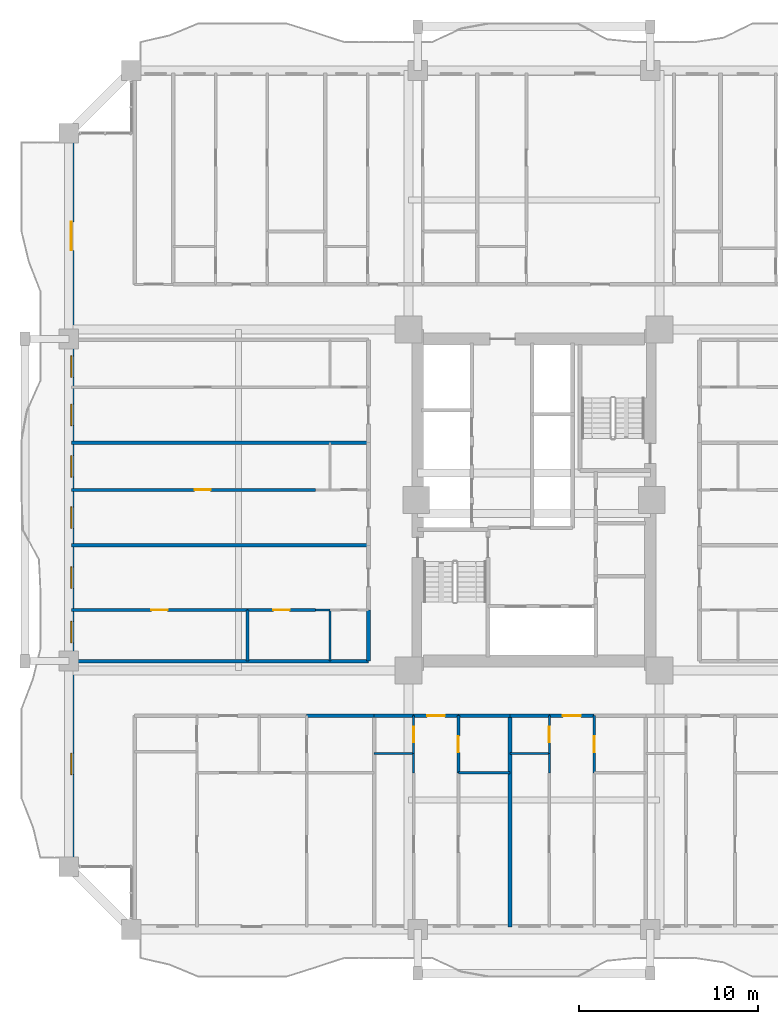
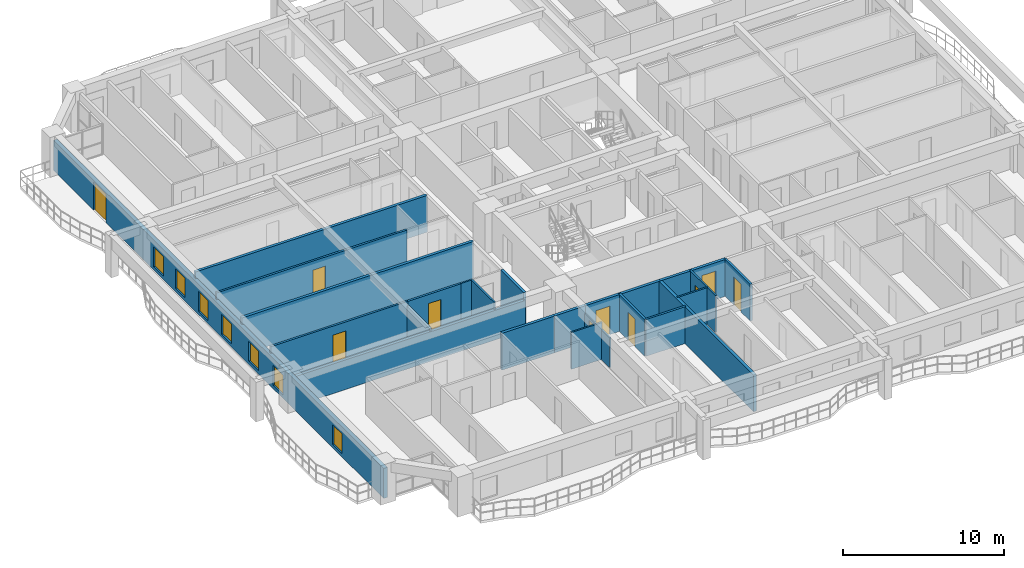
# One storey, part 15 of 28: 27 walls, 10 doors, 7 windows, 17 openings.
"""IFC4 building model written with IfcOpenShell, lengths in metres."""

from ifc_helpers import new_model, si_unit, direction, frame, frame_2d, origin, place, context, subcontext, project, spatial, rectangle, extrude, source, transform, mapped, material, layer, layer_set, type_object, element, fill, save


model = new_model("IFC4")

# Units and contexts
model_context = context("Model", 3, precision=1e-05, world=origin(), true_north=direction((0.0, 1.0)))
body_context = subcontext(model_context, "Body", "Model", "MODEL_VIEW")
ifc_project = project(units=[si_unit("LENGTHUNIT", "METRE"), si_unit("AREAUNIT", "SQUARE_METRE"), si_unit("VOLUMEUNIT", "CUBIC_METRE"), si_unit("PLANEANGLEUNIT", "RADIAN"), si_unit("MASSUNIT", "GRAM", prefix="KILO")], contexts=[model_context])

# Site, building, storey
site_placement = place(None, origin())
site = spatial("IfcSite", under=ifc_project, at=site_placement, CompositionType="ELEMENT")
building_placement = place(site_placement, origin())
building = spatial("IfcBuilding", under=site, at=building_placement, Name="Saelheon Loggia Tower", CompositionType="ELEMENT")
storey_placement = place(building_placement, frame((0.0, 0.0, 61.39990234375)))
storey = spatial("IfcBuildingStorey", under=building, at=storey_placement, Name="L19", CompositionType="ELEMENT", Elevation=61.39990234375)

# Wall, openings, windows, door
ifc_material_1 = material(Name="Architectural Precast Concrete C40/50", Category="concrete")
ifc_layer_1 = layer(ifc_material_1, 0.280029296875)
ifc_layer_set_1 = layer_set([ifc_layer_1], Name="Architectural Precast Concrete C40/50")
wall_type_1 = type_object("IfcWallType", Name="Wall_Ext_Loggia_280", PredefinedType="SOLIDWALL", material=ifc_layer_set_1)
wall_1_placement = place(storey_placement, frame((12.139892578125, 6.5, 0.0), z_axis=(0.0, 0.0, 1.0), x_axis=(0.0, 1.0, 0.0)))
wall_1 = element("IfcWall", 1, at=wall_1_placement, inside=storey, type_object=wall_type_1, Name="L19 West Loggia Inner Wall", PredefinedType="SOLIDWALL", context=body_context, shape_type="SweptSolid", body=[
    extrude(rectangle(XDim=41.0, YDim=0.280029296875, at=frame_2d((20.5, 0.0))), origin(), (0.0, 0.0, 1.0), 2.280029296875),
])
opening_1_placement = place(wall_1_placement, frame((5.14990234375, 0.0, 0.25)))
opening_1 = element("IfcOpeningElement", 2, at=opening_1_placement, cuts=wall_1, Name="Opening WN-03", PredefinedType="OPENING", context=body_context, shape_type="SweptSolid", body=[
    extrude(rectangle(XDim=1.199951171875, YDim=1.5, at=frame_2d((0.60009765625, 0.75))), frame((0.0, 0.152099609375, 0.0), z_axis=(0.0, -1.0, 0.0), x_axis=(1.0, 0.0, 0.0)), (0.0, 0.0, 1.0), 0.303955078125),
])
opening_2_placement = place(wall_1_placement, frame((12.52001953125, 0.0, 0.25)))
opening_2 = element("IfcOpeningElement", 3, at=opening_2_placement, cuts=wall_1, Name="Opening WN-03", PredefinedType="OPENING", context=body_context, shape_type="SweptSolid", body=[
    extrude(rectangle(XDim=1.199951171875, YDim=1.5, at=frame_2d((0.60009765625, 0.75))), frame((0.0, 0.152099609375, 0.0), z_axis=(0.0, -1.0, 0.0), x_axis=(1.0, 0.0, 0.0)), (0.0, 0.0, 1.0), 0.303955078125),
])
opening_3_placement = place(wall_1_placement, frame((15.555908203125, 0.0, 0.25)))
opening_3 = element("IfcOpeningElement", 4, at=opening_3_placement, cuts=wall_1, Name="Opening WN-03", PredefinedType="OPENING", context=body_context, shape_type="SweptSolid", body=[
    extrude(rectangle(XDim=1.199951171875, YDim=1.5, at=frame_2d((0.60009765625, 0.75))), frame((0.0, 0.152099609375, 0.0), z_axis=(0.0, -1.0, 0.0), x_axis=(1.0, 0.0, 0.0)), (0.0, 0.0, 1.0), 0.303955078125),
])
opening_4_placement = place(wall_1_placement, frame((18.912841796875, 0.0, 0.25)))
opening_4 = element("IfcOpeningElement", 5, at=opening_4_placement, cuts=wall_1, Name="Opening WN-03", PredefinedType="OPENING", context=body_context, shape_type="SweptSolid", body=[
    extrude(rectangle(XDim=1.199951171875, YDim=1.5, at=frame_2d((0.60009765625, 0.75))), frame((0.0, 0.152099609375, 0.0), z_axis=(0.0, -1.0, 0.0), x_axis=(1.0, 0.0, 0.0)), (0.0, 0.0, 1.0), 0.303955078125),
])
opening_5_placement = place(wall_1_placement, frame((21.784912109375, 0.0, 0.25)))
opening_5 = element("IfcOpeningElement", 6, at=opening_5_placement, cuts=wall_1, Name="Opening WN-03", PredefinedType="OPENING", context=body_context, shape_type="SweptSolid", body=[
    extrude(rectangle(XDim=1.199951171875, YDim=1.5, at=frame_2d((0.60009765625, 0.75))), frame((0.0, 0.152099609375, 0.0), z_axis=(0.0, -1.0, 0.0), x_axis=(1.0, 0.0, 0.0)), (0.0, 0.0, 1.0), 0.303955078125),
])
opening_6_placement = place(wall_1_placement, frame((24.656982421875, 0.0, 0.25)))
opening_6 = element("IfcOpeningElement", 7, at=opening_6_placement, cuts=wall_1, Name="Opening WN-03", PredefinedType="OPENING", context=body_context, shape_type="SweptSolid", body=[
    extrude(rectangle(XDim=1.199951171875, YDim=1.5, at=frame_2d((0.60009765625, 0.75))), frame((0.0, 0.152099609375, 0.0), z_axis=(0.0, -1.0, 0.0), x_axis=(1.0, 0.0, 0.0)), (0.0, 0.0, 1.0), 0.303955078125),
])
opening_7_placement = place(wall_1_placement, frame((27.35888671875, 0.0, 0.25)))
opening_7 = element("IfcOpeningElement", 8, at=opening_7_placement, cuts=wall_1, Name="Opening WN-03", PredefinedType="OPENING", context=body_context, shape_type="SweptSolid", body=[
    extrude(rectangle(XDim=1.199951171875, YDim=1.5, at=frame_2d((0.60009765625, 0.75))), frame((0.0, 0.152099609375, 0.0), z_axis=(0.0, -1.0, 0.0), x_axis=(1.0, 0.0, 0.0)), (0.0, 0.0, 1.0), 0.303955078125),
])
opening_8_placement = place(wall_1_placement, frame((34.449951171875, 0.0, 0.0)))
opening_8 = element("IfcOpeningElement", 9, at=opening_8_placement, cuts=wall_1, Name="Opening DLG-1", PredefinedType="OPENING", context=body_context, shape_type="SweptSolid", body=[
    extrude(rectangle(XDim=1.60009765625, YDim=2.14990234375, at=frame_2d((0.800048828125, 1.074951171875))), frame((0.0, 0.152099609375, 0.0), z_axis=(0.0, -1.0, 0.0), x_axis=(1.0, 0.0, 0.0)), (0.0, 0.0, 1.0), 0.303955078125),
])
ifc_material_2 = material(Name="Thermal-Break Aluminium and Triple Low-E Glass", Category="aluminium")
window_type = type_object("IfcWindowType", Name="Win_Bedroom_1200x1500", PartitioningType="SINGLE_PANEL", PredefinedType="WINDOW", material=ifc_material_2)
shared_shape_1 = source(origin(), body_context, "Body", "SweptSolid", [
    extrude(rectangle(XDim=1.199951171875, YDim=1.5, at=frame_2d((0.60009765625, 0.75))), frame((0.0, 0.030029296875, 0.0), z_axis=(0.0, -1.0, 0.0), x_axis=(1.0, 0.0, 0.0)), (0.0, 0.0, 1.0), 0.06005859375),
])
window_1_placement = place(opening_1_placement, origin())
window_1 = element("IfcWindow", 10, at=window_1_placement, inside=storey, type_object=window_type, Name="L19 W Dwelling Window 1", OverallHeight=1.5, OverallWidth=1.199951171875, PartitioningType="SINGLE_PANEL", PredefinedType="WINDOW", context=body_context, shape_type="MappedRepresentation", body=[
    mapped(shared_shape_1, transform((0.0, 0.0, 0.0), scale=1.0)),
])
fill(opening_1, window_1)
window_2_placement = place(opening_2_placement, origin())
window_2 = element("IfcWindow", 11, at=window_2_placement, inside=storey, type_object=window_type, Name="L19 W Dwelling Window 2", OverallHeight=1.5, OverallWidth=1.199951171875, PartitioningType="SINGLE_PANEL", PredefinedType="WINDOW", context=body_context, shape_type="MappedRepresentation", body=[
    mapped(shared_shape_1, transform((0.0, 0.0, 0.0), scale=1.0)),
])
fill(opening_2, window_2)
window_3_placement = place(opening_3_placement, origin())
window_3 = element("IfcWindow", 12, at=window_3_placement, inside=storey, type_object=window_type, Name="L19 W Dwelling Window 3", OverallHeight=1.5, OverallWidth=1.199951171875, PartitioningType="SINGLE_PANEL", PredefinedType="WINDOW", context=body_context, shape_type="MappedRepresentation", body=[
    mapped(shared_shape_1, transform((0.0, 0.0, 0.0), scale=1.0)),
])
fill(opening_3, window_3)
window_4_placement = place(opening_4_placement, origin())
window_4 = element("IfcWindow", 13, at=window_4_placement, inside=storey, type_object=window_type, Name="L19 W Dwelling Window 4", OverallHeight=1.5, OverallWidth=1.199951171875, PartitioningType="SINGLE_PANEL", PredefinedType="WINDOW", context=body_context, shape_type="MappedRepresentation", body=[
    mapped(shared_shape_1, transform((0.0, 0.0, 0.0), scale=1.0)),
])
fill(opening_4, window_4)
window_5_placement = place(opening_5_placement, origin())
window_5 = element("IfcWindow", 14, at=window_5_placement, inside=storey, type_object=window_type, Name="L19 W Dwelling Window 5", OverallHeight=1.5, OverallWidth=1.199951171875, PartitioningType="SINGLE_PANEL", PredefinedType="WINDOW", context=body_context, shape_type="MappedRepresentation", body=[
    mapped(shared_shape_1, transform((0.0, 0.0, 0.0), scale=1.0)),
])
fill(opening_5, window_5)
window_6_placement = place(opening_6_placement, origin())
window_6 = element("IfcWindow", 15, at=window_6_placement, inside=storey, type_object=window_type, Name="L19 W Dwelling Window 6", OverallHeight=1.5, OverallWidth=1.199951171875, PartitioningType="SINGLE_PANEL", PredefinedType="WINDOW", context=body_context, shape_type="MappedRepresentation", body=[
    mapped(shared_shape_1, transform((0.0, 0.0, 0.0), scale=1.0)),
])
fill(opening_6, window_6)
window_7_placement = place(opening_7_placement, origin())
window_7 = element("IfcWindow", 16, at=window_7_placement, inside=storey, type_object=window_type, Name="L19 W Dwelling Window 7", OverallHeight=1.5, OverallWidth=1.199951171875, PartitioningType="SINGLE_PANEL", PredefinedType="WINDOW", context=body_context, shape_type="MappedRepresentation", body=[
    mapped(shared_shape_1, transform((0.0, 0.0, 0.0), scale=1.0)),
])
fill(opening_7, window_7)
ifc_material_3 = material(Name="Thermal-Break Aluminium Sliding Glazed Door", Category="aluminium")
door_type_1 = type_object("IfcDoorType", Name="Door_LoggiaSlide_1600", OperationType="SLIDING_TO_LEFT", PredefinedType="DOOR", material=ifc_material_3)
shared_shape_2 = source(origin(), body_context, "Body", "SweptSolid", [
    extrude(rectangle(XDim=1.60009765625, YDim=2.14990234375, at=frame_2d((0.800048828125, 1.074951171875))), frame((0.0, 0.02490234375, 0.0), z_axis=(0.0, -1.0, 0.0), x_axis=(1.0, 0.0, 0.0)), (0.0, 0.0, 1.0), 0.050048828125),
])
door_1_placement = place(opening_8_placement, origin())
door_1 = element("IfcDoor", 17, at=door_1_placement, inside=storey, type_object=door_type_1, Name="L19 W Loggia Access Door", OperationType="SLIDING_TO_LEFT", OverallHeight=2.14990234375, OverallWidth=1.60009765625, PredefinedType="DOOR", context=body_context, shape_type="MappedRepresentation", body=[
    mapped(shared_shape_2, transform((0.0, 0.0, 0.0), scale=1.0)),
])
fill(opening_8, door_1)

# Wall
ifc_material_4 = material(Name="Lightweight Autoclaved Aerated Concrete Block and Acoustic Gypsum", Category="concrete")
ifc_layer_2 = layer(ifc_material_4, 0.14990234375)
ifc_layer_set_2 = layer_set([ifc_layer_2], Name="Lightweight Autoclaved Aerated Concrete Block and Acoustic Gypsum")
wall_type_2 = type_object("IfcWallType", Name="Wall_Part_150", PredefinedType="PARTITIONING", material=ifc_layer_set_2)
wall_2_placement = place(storey_placement, frame((33.777099609375, 11.75, 0.0), z_axis=(0.0, 0.0, 1.0), x_axis=(1.0, 0.0, 0.0)))
element("IfcWall", 18, at=wall_2_placement, inside=storey, type_object=wall_type_2, Name="L19 S Partition V22", PredefinedType="PARTITIONING", context=body_context, shape_type="SweptSolid", body=[
    extrude(rectangle(XDim=2.8837890625, YDim=0.14990234375, at=frame_2d((1.44189453125, 0.0))), origin(), (0.0, 0.0, 1.0), 2.7900390625),
])

# Wall, opening, door
wall_3_placement = place(storey_placement, frame((33.777099609375, 14.949951171875, 0.0), z_axis=(0.0, 0.0, 1.0), x_axis=(0.0, -1.0, 0.0)))
wall_3 = element("IfcWall", 19, at=wall_3_placement, inside=storey, type_object=wall_type_2, Name="L19 S Partition U26", PredefinedType="PARTITIONING", context=body_context, shape_type="SweptSolid", body=[
    extrude(rectangle(XDim=3.199951171875, YDim=0.14990234375, at=frame_2d((1.60009765625, 0.0))), origin(), (0.0, 0.0, 1.0), 2.7900390625),
])
opening_9_placement = place(wall_3_placement, frame((1.14990234375, 0.0, 0.0)))
opening_9 = element("IfcOpeningElement", 20, at=opening_9_placement, cuts=wall_3, Name="Opening D-IN2", PredefinedType="OPENING", context=body_context, shape_type="SweptSolid", body=[
    extrude(rectangle(XDim=0.89990234375, YDim=2.10009765625, at=frame_2d((0.449951171875, 1.050048828125))), frame((0.0, 0.0869140625, 0.0), z_axis=(0.0, -1.0, 0.0), x_axis=(1.0, 0.0, 0.0)), (0.0, 0.0, 1.0), 0.173828125),
])
ifc_material_5 = material(Name="Engineered Oak Flush Door", Category="timber")
door_type_2 = type_object("IfcDoorType", Name="Door_Int_900", OperationType="NOTDEFINED", PredefinedType="DOOR", material=ifc_material_5)
shared_shape_3 = source(origin(), body_context, "Body", "SweptSolid", [
    extrude(rectangle(XDim=0.89990234375, YDim=2.10009765625, at=frame_2d((0.449951171875, 1.050048828125))), frame((0.0, 0.02490234375, 0.0), z_axis=(0.0, -1.0, 0.0), x_axis=(1.0, 0.0, 0.0)), (0.0, 0.0, 1.0), 0.050048828125),
])
door_2_placement = place(opening_9_placement, origin())
door_2 = element("IfcDoor", 21, at=door_2_placement, inside=storey, type_object=door_type_2, Name="Unit U02 Dressing Closet Door", OperationType="SINGLE_SWING_LEFT", OverallHeight=2.10009765625, OverallWidth=0.89990234375, PredefinedType="DOOR", context=body_context, shape_type="MappedRepresentation", body=[
    mapped(shared_shape_3, transform((0.0, 0.0, 0.0), scale=1.0)),
])
fill(opening_9, door_2)

wall_4_placement = place(storey_placement, frame((41.365966796875, 14.949951171875, 0.0), z_axis=(0.0, 0.0, 1.0), x_axis=(0.0, -1.0, 0.0)))
wall_4 = element("IfcWall", 22, at=wall_4_placement, inside=storey, type_object=wall_type_2, Name="L19 S Partition U37", PredefinedType="PARTITIONING", context=body_context, shape_type="SweptSolid", body=[
    extrude(rectangle(XDim=3.199951171875, YDim=0.14990234375, at=frame_2d((1.60009765625, 0.0))), origin(), (0.0, 0.0, 1.0), 2.7900390625),
])
opening_10_placement = place(wall_4_placement, frame((1.14990234375, 0.0, 0.0)))
opening_10 = element("IfcOpeningElement", 23, at=opening_10_placement, cuts=wall_4, Name="Opening D-IN2", PredefinedType="OPENING", context=body_context, shape_type="SweptSolid", body=[
    extrude(rectangle(XDim=0.89990234375, YDim=2.10009765625, at=frame_2d((0.449951171875, 1.050048828125))), frame((0.0, 0.0869140625, 0.0), z_axis=(0.0, -1.0, 0.0), x_axis=(1.0, 0.0, 0.0)), (0.0, 0.0, 1.0), 0.173828125),
])
door_3_placement = place(opening_10_placement, origin())
door_3 = element("IfcDoor", 24, at=door_3_placement, inside=storey, type_object=door_type_2, Name="Unit U03 Dressing Closet Door", OperationType="SINGLE_SWING_RIGHT", OverallHeight=2.10009765625, OverallWidth=0.89990234375, PredefinedType="DOOR", context=body_context, shape_type="MappedRepresentation", body=[
    mapped(shared_shape_3, transform((0.0, 0.0, 0.0), scale=1.0)),
])
fill(opening_10, door_3)

# Wall
wall_5_placement = place(storey_placement, frame((21.989990234375, 18.0, 0.0), z_axis=(0.0, 0.0, 1.0), x_axis=(0.0, 1.0, 0.0)))
element("IfcWall", 25, at=wall_5_placement, inside=storey, type_object=wall_type_2, Name="L19 W Partition V08", PredefinedType="PARTITIONING", context=body_context, shape_type="SweptSolid", body=[
    extrude(rectangle(XDim=2.85009765625, YDim=0.14990234375, at=frame_2d((1.425048828125, 0.0))), origin(), (0.0, 0.0, 1.0), 2.440185546875),
])

# Wall, opening, door
wall_6_placement = place(storey_placement, frame((25.7900390625, 20.85009765625, 0.0), z_axis=(0.0, 0.0, 1.0), x_axis=(-1.0, 0.0, 0.0)))
wall_6 = element("IfcWall", 26, at=wall_6_placement, inside=storey, type_object=wall_type_2, Name="L19 W Partition U09", PredefinedType="PARTITIONING", context=body_context, shape_type="SweptSolid", body=[
    extrude(rectangle(XDim=3.800048828125, YDim=0.14990234375, at=frame_2d((1.89990234375, 0.0))), origin(), (0.0, 0.0, 1.0), 2.7900390625),
])
opening_11_placement = place(wall_6_placement, frame((1.449951171875, 0.0, 0.0)))
opening_11 = element("IfcOpeningElement", 27, at=opening_11_placement, cuts=wall_6, Name="Opening D-IN2", PredefinedType="OPENING", context=body_context, shape_type="SweptSolid", body=[
    extrude(rectangle(XDim=0.89990234375, YDim=2.10009765625, at=frame_2d((0.449951171875, 1.050048828125))), frame((0.0, 0.0869140625, 0.0), z_axis=(0.0, -1.0, 0.0), x_axis=(1.0, 0.0, 0.0)), (0.0, 0.0, 1.0), 0.173828125),
])
door_4_placement = place(opening_11_placement, origin())
door_4 = element("IfcDoor", 28, at=door_4_placement, inside=storey, type_object=door_type_2, Name="Unit U10 Kitchen Door", OperationType="SINGLE_SWING_LEFT", OverallHeight=2.10009765625, OverallWidth=0.89990234375, PredefinedType="DOOR", context=body_context, shape_type="MappedRepresentation", body=[
    mapped(shared_shape_3, transform((0.0, 0.0, 0.0), scale=1.0)),
])
fill(opening_11, door_4)

wall_7_placement = place(storey_placement, frame((21.989990234375, 20.85009765625, 0.0), z_axis=(0.0, 0.0, 1.0), x_axis=(-1.0, 0.0, 0.0)))
wall_7 = element("IfcWall", 29, at=wall_7_placement, inside=storey, type_object=wall_type_2, Name="L19 W Partition U10", PredefinedType="PARTITIONING", context=body_context, shape_type="SweptSolid", body=[
    extrude(rectangle(XDim=9.840087890625, YDim=0.14990234375, at=frame_2d((4.919921875, 0.0))), origin(), (0.0, 0.0, 1.0), 2.7900390625),
])
opening_12_placement = place(wall_7_placement, frame((4.469970703125, 0.0, 0.0)))
opening_12 = element("IfcOpeningElement", 30, at=opening_12_placement, cuts=wall_7, Name="Opening D-IN2", PredefinedType="OPENING", context=body_context, shape_type="SweptSolid", body=[
    extrude(rectangle(XDim=0.89990234375, YDim=2.10009765625, at=frame_2d((0.449951171875, 1.050048828125))), frame((0.0, 0.0869140625, 0.0), z_axis=(0.0, -1.0, 0.0), x_axis=(1.0, 0.0, 0.0)), (0.0, 0.0, 1.0), 0.173828125),
])
door_5_placement = place(opening_12_placement, origin())
door_5 = element("IfcDoor", 31, at=door_5_placement, inside=storey, type_object=door_type_2, Name="Unit U10 Bedroom 1 Door", OperationType="SINGLE_SWING_RIGHT", OverallHeight=2.10009765625, OverallWidth=0.89990234375, PredefinedType="DOOR", context=body_context, shape_type="MappedRepresentation", body=[
    mapped(shared_shape_3, transform((0.0, 0.0, 0.0), scale=1.0)),
])
fill(opening_12, door_5)

wall_8_placement = place(storey_placement, frame((25.7900390625, 27.563720703125, 0.0), z_axis=(0.0, 0.0, 1.0), x_axis=(-1.0, 0.0, 0.0)))
wall_8 = element("IfcWall", 32, at=wall_8_placement, inside=storey, type_object=wall_type_2, Name="L19 W Partition U17", PredefinedType="PARTITIONING", context=body_context, shape_type="SweptSolid", body=[
    extrude(rectangle(XDim=13.64013671875, YDim=0.14990234375, at=frame_2d((6.820068359375, 0.0))), origin(), (0.0, 0.0, 1.0), 2.7900390625),
])
opening_13_placement = place(wall_8_placement, frame((5.859130859375, 0.0, 0.0)))
opening_13 = element("IfcOpeningElement", 33, at=opening_13_placement, cuts=wall_8, Name="Opening D-IN2", PredefinedType="OPENING", context=body_context, shape_type="SweptSolid", body=[
    extrude(rectangle(XDim=0.89990234375, YDim=2.10009765625, at=frame_2d((0.449951171875, 1.050048828125))), frame((0.0, 0.0869140625, 0.0), z_axis=(0.0, -1.0, 0.0), x_axis=(1.0, 0.0, 0.0)), (0.0, 0.0, 1.0), 0.173828125),
])
door_6_placement = place(opening_13_placement, origin())
door_6 = element("IfcDoor", 34, at=door_6_placement, inside=storey, type_object=door_type_2, Name="Unit U11 Kitchen Door", OperationType="SINGLE_SWING_LEFT", OverallHeight=2.10009765625, OverallWidth=0.89990234375, PredefinedType="DOOR", context=body_context, shape_type="MappedRepresentation", body=[
    mapped(shared_shape_3, transform((0.0, 0.0, 0.0), scale=1.0)),
])
fill(opening_13, door_6)

# Walls
ifc_material_6 = material(Name="Double Acoustic Stud and Fireboard Partition", Category="gypsum")
ifc_layer_3 = layer(ifc_material_6, 0.199951171875)
ifc_layer_set_3 = layer_set([ifc_layer_3], Name="Double Acoustic Stud and Fireboard Partition")
wall_type_3 = type_object("IfcWallType", Name="Wall_Party_200", PredefinedType="PARTITIONING", material=ifc_layer_set_3)
wall_9_placement = place(storey_placement, frame((25.29296875, 14.949951171875, 0.0), z_axis=(0.0, 0.0, 1.0), x_axis=(1.0, 0.0, 0.0)))
element("IfcWall", 35, at=wall_9_placement, inside=storey, type_object=wall_type_3, Name="L19 S Partition V09", PredefinedType="PARTITIONING", context=body_context, shape_type="SweptSolid", body=[
    extrude(rectangle(XDim=3.779052734375, YDim=0.199951171875, at=frame_2d((1.8896484375, 0.0))), origin(), (0.0, 0.0, 1.0), 2.7900390625),
])
wall_10_placement = place(storey_placement, frame((29.072021484375, 14.949951171875, 0.0), z_axis=(0.0, 0.0, 1.0), x_axis=(1.0, 0.0, 0.0)))
element("IfcWall", 36, at=wall_10_placement, inside=storey, type_object=wall_type_3, Name="L19 S Partition V18", PredefinedType="PARTITIONING", context=body_context, shape_type="SweptSolid", body=[
    extrude(rectangle(XDim=2.199951171875, YDim=0.199951171875, at=frame_2d((1.10009765625, 0.0))), origin(), (0.0, 0.0, 1.0), 2.7900390625),
])

# Wall, opening, door
wall_11_placement = place(storey_placement, frame((31.27197265625, 14.949951171875, 0.0), z_axis=(0.0, 0.0, 1.0), x_axis=(1.0, 0.0, 0.0)))
wall_11 = element("IfcWall", 37, at=wall_11_placement, inside=storey, type_object=wall_type_3, Name="L19 S Partition V19", PredefinedType="PARTITIONING", context=body_context, shape_type="SweptSolid", body=[
    extrude(rectangle(XDim=2.505126953125, YDim=0.199951171875, at=frame_2d((1.25244140625, 0.0))), origin(), (0.0, 0.0, 1.0), 2.7900390625),
])
opening_14_placement = place(wall_11_placement, frame((0.75244140625, 0.0, 0.0)))
opening_14 = element("IfcOpeningElement", 38, at=opening_14_placement, cuts=wall_11, Name="Opening D-FD1", PredefinedType="OPENING", context=body_context, shape_type="SweptSolid", body=[
    extrude(rectangle(XDim=1.0, YDim=2.14990234375, at=frame_2d((0.5, 1.074951171875))), frame((0.0, 0.112060546875, 0.0), z_axis=(0.0, -1.0, 0.0), x_axis=(1.0, 0.0, 0.0)), (0.0, 0.0, 1.0), 0.223876953125),
])
ifc_material_7 = material(Name="Fire-Rated Engineered Timber Entrance Door", Category="wood")
door_type_3 = type_object("IfcDoorType", Name="Door_Flat_FD30S", OperationType="NOTDEFINED", PredefinedType="DOOR", material=ifc_material_7)
shared_shape_4 = source(origin(), body_context, "Body", "SweptSolid", [
    extrude(rectangle(XDim=1.0, YDim=2.14990234375, at=frame_2d((0.5, 1.074951171875))), frame((0.0, 0.02490234375, 0.0), z_axis=(0.0, -1.0, 0.0), x_axis=(1.0, 0.0, 0.0)), (0.0, 0.0, 1.0), 0.050048828125),
])
door_7_placement = place(opening_14_placement, origin())
door_7 = element("IfcDoor", 39, at=door_7_placement, inside=storey, type_object=door_type_3, Name="Unit U02 Entrance Door", OperationType="SINGLE_SWING_RIGHT", OverallHeight=2.14990234375, OverallWidth=1.0, PredefinedType="DOOR", context=body_context, shape_type="MappedRepresentation", body=[
    mapped(shared_shape_4, transform((0.0, 0.0, 0.0), scale=1.0)),
])
fill(opening_14, door_7)

# Walls
wall_12_placement = place(storey_placement, frame((33.777099609375, 14.949951171875, 0.0), z_axis=(0.0, 0.0, 1.0), x_axis=(1.0, 0.0, 0.0)))
element("IfcWall", 40, at=wall_12_placement, inside=storey, type_object=wall_type_3, Name="L19 S Partition V20", PredefinedType="PARTITIONING", context=body_context, shape_type="SweptSolid", body=[
    extrude(rectangle(XDim=2.8837890625, YDim=0.199951171875, at=frame_2d((1.44189453125, 0.0))), origin(), (0.0, 0.0, 1.0), 2.7900390625),
])
wall_13_placement = place(storey_placement, frame((36.660888671875, 14.949951171875, 0.0), z_axis=(0.0, 0.0, 1.0), x_axis=(0.0, -1.0, 0.0)))
element("IfcWall", 41, at=wall_13_placement, inside=storey, type_object=wall_type_3, Name="L19 S Partition U28", PredefinedType="PARTITIONING", context=body_context, shape_type="SweptSolid", body=[
    extrude(rectangle(XDim=11.800048828125, YDim=0.199951171875, at=frame_2d((5.89990234375, 0.0))), origin(), (0.0, 0.0, 1.0), 2.7900390625),
])
wall_14_placement = place(storey_placement, frame((36.660888671875, 14.949951171875, 0.0), z_axis=(0.0, 0.0, 1.0), x_axis=(1.0, 0.0, 0.0)))
element("IfcWall", 42, at=wall_14_placement, inside=storey, type_object=wall_type_3, Name="L19 S Partition V29", PredefinedType="PARTITIONING", context=body_context, shape_type="SweptSolid", body=[
    extrude(rectangle(XDim=2.199951171875, YDim=0.199951171875, at=frame_2d((1.10009765625, 0.0))), origin(), (0.0, 0.0, 1.0), 2.7900390625),
])

# Wall, opening, door
wall_15_placement = place(storey_placement, frame((38.86083984375, 14.949951171875, 0.0), z_axis=(0.0, 0.0, 1.0), x_axis=(1.0, 0.0, 0.0)))
wall_15 = element("IfcWall", 43, at=wall_15_placement, inside=storey, type_object=wall_type_3, Name="L19 S Partition V30", PredefinedType="PARTITIONING", context=body_context, shape_type="SweptSolid", body=[
    extrude(rectangle(XDim=2.505126953125, YDim=0.199951171875, at=frame_2d((1.25244140625, 0.0))), origin(), (0.0, 0.0, 1.0), 2.7900390625),
])
opening_15_placement = place(wall_15_placement, frame((0.752685546875, 0.0, 0.0)))
opening_15 = element("IfcOpeningElement", 44, at=opening_15_placement, cuts=wall_15, Name="Opening D-FD1", PredefinedType="OPENING", context=body_context, shape_type="SweptSolid", body=[
    extrude(rectangle(XDim=1.0, YDim=2.14990234375, at=frame_2d((0.5, 1.074951171875))), frame((0.0, 0.112060546875, 0.0), z_axis=(0.0, -1.0, 0.0), x_axis=(1.0, 0.0, 0.0)), (0.0, 0.0, 1.0), 0.223876953125),
])
door_8_placement = place(opening_15_placement, origin())
door_8 = element("IfcDoor", 45, at=door_8_placement, inside=storey, type_object=door_type_3, Name="Unit U03 Entrance Door", OperationType="SINGLE_SWING_LEFT", OverallHeight=2.14990234375, OverallWidth=1.0, PredefinedType="DOOR", context=body_context, shape_type="MappedRepresentation", body=[
    mapped(shared_shape_4, transform((0.0, 0.0, 0.0), scale=1.0)),
])
fill(opening_15, door_8)

# Walls
wall_16_placement = place(storey_placement, frame((28.75, 18.0, 0.0), z_axis=(0.0, 0.0, 1.0), x_axis=(-1.0, 0.0, 0.0)))
element("IfcWall", 46, at=wall_16_placement, inside=storey, type_object=wall_type_3, Name="L19 W Partition U01", PredefinedType="PARTITIONING", context=body_context, shape_type="SweptSolid", body=[
    extrude(rectangle(XDim=16.60009765625, YDim=0.199951171875, at=frame_2d((8.300048828125, 0.0))), origin(), (0.0, 0.0, 1.0), 2.239990234375),
])
wall_17_placement = place(storey_placement, frame((28.75, 18.0, 0.0), z_axis=(0.0, 0.0, 1.0), x_axis=(0.0, 1.0, 0.0)))
element("IfcWall", 47, at=wall_17_placement, inside=storey, type_object=wall_type_3, Name="L19 W Partition V03", PredefinedType="PARTITIONING", context=body_context, shape_type="SweptSolid", body=[
    extrude(rectangle(XDim=2.85009765625, YDim=0.199951171875, at=frame_2d((1.425048828125, 0.0))), origin(), (0.0, 0.0, 1.0), 2.7900390625),
])
for number, where, z_axis, x_axis, name in (
    (48, (28.75, 24.4619140625, 0.0), (0.0, 0.0, 1.0), (-1.0, 0.0, 0.0), "L19 W Partition U11"),
    (49, (28.75, 30.2060546875, 0.0), (0.0, 0.0, 1.0), (-1.0, 0.0, 0.0), "L19 W Partition U18"),
):
    element("IfcWall", number, at=place(storey_placement, frame(where, z_axis=z_axis, x_axis=x_axis)), inside=storey, type_object=wall_type_3, Name=name, PredefinedType="PARTITIONING", context=body_context, shape_type="SweptSolid", body=[
        extrude(rectangle(XDim=16.60009765625, YDim=0.199951171875, at=frame_2d((8.300048828125, 0.0))), origin(), (0.0, 0.0, 1.0), 2.7900390625),
    ])
ifc_material_8 = material(Name="Moisture-Resistant Cement Board Partition", Category="gypsum")
ifc_layer_4 = layer(ifc_material_8, 0.1201171875)
ifc_layer_set_4 = layer_set([ifc_layer_4], Name="Moisture-Resistant Cement Board Partition")
wall_type_4 = type_object("IfcWallType", Name="Wall_WetPart_120", PredefinedType="PARTITIONING", material=ifc_layer_set_4)
wall_18_placement = place(storey_placement, frame((29.072021484375, 12.830078125, 0.0), z_axis=(0.0, 0.0, 1.0), x_axis=(1.0, 0.0, 0.0)))
element("IfcWall", 50, at=wall_18_placement, inside=storey, type_object=wall_type_4, Name="L19 S Partition V21", PredefinedType="PARTITIONING", context=body_context, shape_type="SweptSolid", body=[
    extrude(rectangle(XDim=2.199951171875, YDim=0.1201171875, at=frame_2d((1.10009765625, 0.0))), origin(), (0.0, 0.0, 1.0), 2.7900390625),
])

# Wall, opening, door
wall_19_placement = place(storey_placement, frame((31.27197265625, 14.949951171875, 0.0), z_axis=(0.0, 0.0, 1.0), x_axis=(0.0, -1.0, 0.0)))
wall_19 = element("IfcWall", 51, at=wall_19_placement, inside=storey, type_object=wall_type_4, Name="L19 S Partition U23", PredefinedType="PARTITIONING", context=body_context, shape_type="SweptSolid", body=[
    extrude(rectangle(XDim=2.119873046875, YDim=0.1201171875, at=frame_2d((1.06005859375, 0.0))), origin(), (0.0, 0.0, 1.0), 2.239990234375),
])
opening_16_placement = place(wall_19_placement, frame((0.635009765625, 0.0, 0.0)))
opening_16 = element("IfcOpeningElement", 52, at=opening_16_placement, cuts=wall_19, Name="Opening D-BT1", PredefinedType="OPENING", context=body_context, shape_type="SweptSolid", body=[
    extrude(rectangle(XDim=0.85009765625, YDim=2.050048828125, at=frame_2d((0.425048828125, 1.02490234375))), frame((0.0, 0.072021484375, 0.0), z_axis=(0.0, -1.0, 0.0), x_axis=(1.0, 0.0, 0.0)), (0.0, 0.0, 1.0), 0.14404296875),
])
ifc_material_9 = material(Name="Moisture-Resistant Laminate Timber Door", Category="wood")
door_type_4 = type_object("IfcDoorType", Name="Door_Bath_850", OperationType="NOTDEFINED", PredefinedType="DOOR", material=ifc_material_9)
shared_shape_5 = source(origin(), body_context, "Body", "SweptSolid", [
    extrude(rectangle(XDim=0.85009765625, YDim=2.050048828125, at=frame_2d((0.425048828125, 1.02490234375))), frame((0.0, 0.02490234375, 0.0), z_axis=(0.0, -1.0, 0.0), x_axis=(1.0, 0.0, 0.0)), (0.0, 0.0, 1.0), 0.050048828125),
])
door_9_placement = place(opening_16_placement, origin())
door_9 = element("IfcDoor", 53, at=door_9_placement, inside=storey, type_object=door_type_4, Name="Unit U02 Bathroom Door", OperationType="SINGLE_SWING_LEFT", OverallHeight=2.050048828125, OverallWidth=0.85009765625, PredefinedType="DOOR", context=body_context, shape_type="MappedRepresentation", body=[
    mapped(shared_shape_5, transform((0.0, 0.0, 0.0), scale=1.0)),
])
fill(opening_16, door_9)

# Walls
wall_20_placement = place(storey_placement, frame((31.27197265625, 12.830078125, 0.0), z_axis=(0.0, 0.0, 1.0), x_axis=(0.0, -1.0, 0.0)))
element("IfcWall", 54, at=wall_20_placement, inside=storey, type_object=wall_type_4, Name="L19 S Partition U24", PredefinedType="PARTITIONING", context=body_context, shape_type="SweptSolid", body=[
    extrude(rectangle(XDim=1.080078125, YDim=0.1201171875, at=frame_2d((0.5400390625, 0.0))), origin(), (0.0, 0.0, 1.0), 2.239990234375),
])
wall_21_placement = place(storey_placement, frame((36.660888671875, 12.830078125, 0.0), z_axis=(0.0, 0.0, 1.0), x_axis=(1.0, 0.0, 0.0)))
element("IfcWall", 55, at=wall_21_placement, inside=storey, type_object=wall_type_4, Name="L19 S Partition V32", PredefinedType="PARTITIONING", context=body_context, shape_type="SweptSolid", body=[
    extrude(rectangle(XDim=2.199951171875, YDim=0.1201171875, at=frame_2d((1.10009765625, 0.0))), origin(), (0.0, 0.0, 1.0), 2.7900390625),
])

# Wall, opening, door
wall_22_placement = place(storey_placement, frame((38.86083984375, 14.949951171875, 0.0), z_axis=(0.0, 0.0, 1.0), x_axis=(0.0, -1.0, 0.0)))
wall_22 = element("IfcWall", 56, at=wall_22_placement, inside=storey, type_object=wall_type_4, Name="L19 S Partition U34", PredefinedType="PARTITIONING", context=body_context, shape_type="SweptSolid", body=[
    extrude(rectangle(XDim=2.119873046875, YDim=0.1201171875, at=frame_2d((1.06005859375, 0.0))), origin(), (0.0, 0.0, 1.0), 2.7900390625),
])
opening_17_placement = place(wall_22_placement, frame((0.635009765625, 0.0, 0.0)))
opening_17 = element("IfcOpeningElement", 57, at=opening_17_placement, cuts=wall_22, Name="Opening D-BT1", PredefinedType="OPENING", context=body_context, shape_type="SweptSolid", body=[
    extrude(rectangle(XDim=0.85009765625, YDim=2.050048828125, at=frame_2d((0.425048828125, 1.02490234375))), frame((0.0, 0.072021484375, 0.0), z_axis=(0.0, -1.0, 0.0), x_axis=(1.0, 0.0, 0.0)), (0.0, 0.0, 1.0), 0.14404296875),
])
door_10_placement = place(opening_17_placement, origin())
door_10 = element("IfcDoor", 58, at=door_10_placement, inside=storey, type_object=door_type_4, Name="Unit U03 Bathroom Door", OperationType="SINGLE_SWING_RIGHT", OverallHeight=2.050048828125, OverallWidth=0.85009765625, PredefinedType="DOOR", context=body_context, shape_type="MappedRepresentation", body=[
    mapped(shared_shape_5, transform((0.0, 0.0, 0.0), scale=1.0)),
])
fill(opening_17, door_10)

# Walls
wall_23_placement = place(storey_placement, frame((38.86083984375, 12.830078125, 0.0), z_axis=(0.0, 0.0, 1.0), x_axis=(0.0, -1.0, 0.0)))
element("IfcWall", 59, at=wall_23_placement, inside=storey, type_object=wall_type_4, Name="L19 S Partition U35", PredefinedType="PARTITIONING", context=body_context, shape_type="SweptSolid", body=[
    extrude(rectangle(XDim=1.080078125, YDim=0.1201171875, at=frame_2d((0.5400390625, 0.0))), origin(), (0.0, 0.0, 1.0), 2.7900390625),
])
wall_24_placement = place(storey_placement, frame((26.60009765625, 20.85009765625, 0.0), z_axis=(0.0, 0.0, 1.0), x_axis=(-1.0, 0.0, 0.0)))
element("IfcWall", 60, at=wall_24_placement, inside=storey, type_object=wall_type_4, Name="L19 W Partition U06", PredefinedType="PARTITIONING", context=body_context, shape_type="SweptSolid", body=[
    extrude(rectangle(XDim=0.81005859375, YDim=0.1201171875, at=frame_2d((0.405029296875, 0.0))), origin(), (0.0, 0.0, 1.0), 2.7900390625),
])
wall_25_placement = place(storey_placement, frame((26.60009765625, 18.0, 0.0), z_axis=(0.0, 0.0, 1.0), x_axis=(0.0, 1.0, 0.0)))
element("IfcWall", 61, at=wall_25_placement, inside=storey, type_object=wall_type_4, Name="L19 W Partition V07", PredefinedType="PARTITIONING", context=body_context, shape_type="SweptSolid", body=[
    extrude(rectangle(XDim=2.85009765625, YDim=0.1201171875, at=frame_2d((1.425048828125, 0.0))), origin(), (0.0, 0.0, 1.0), 2.7900390625),
])

save(model, "model.ifc")
